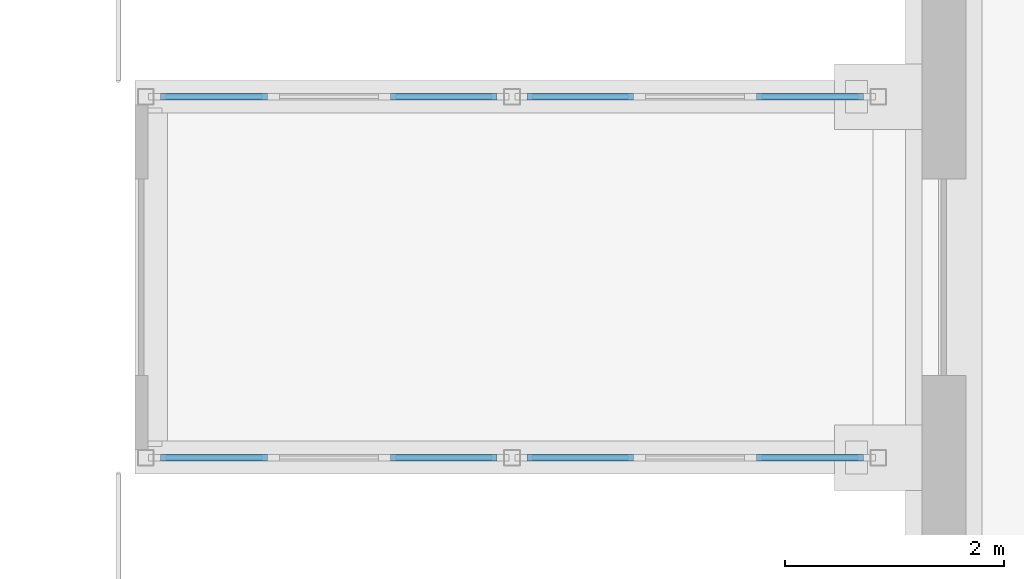
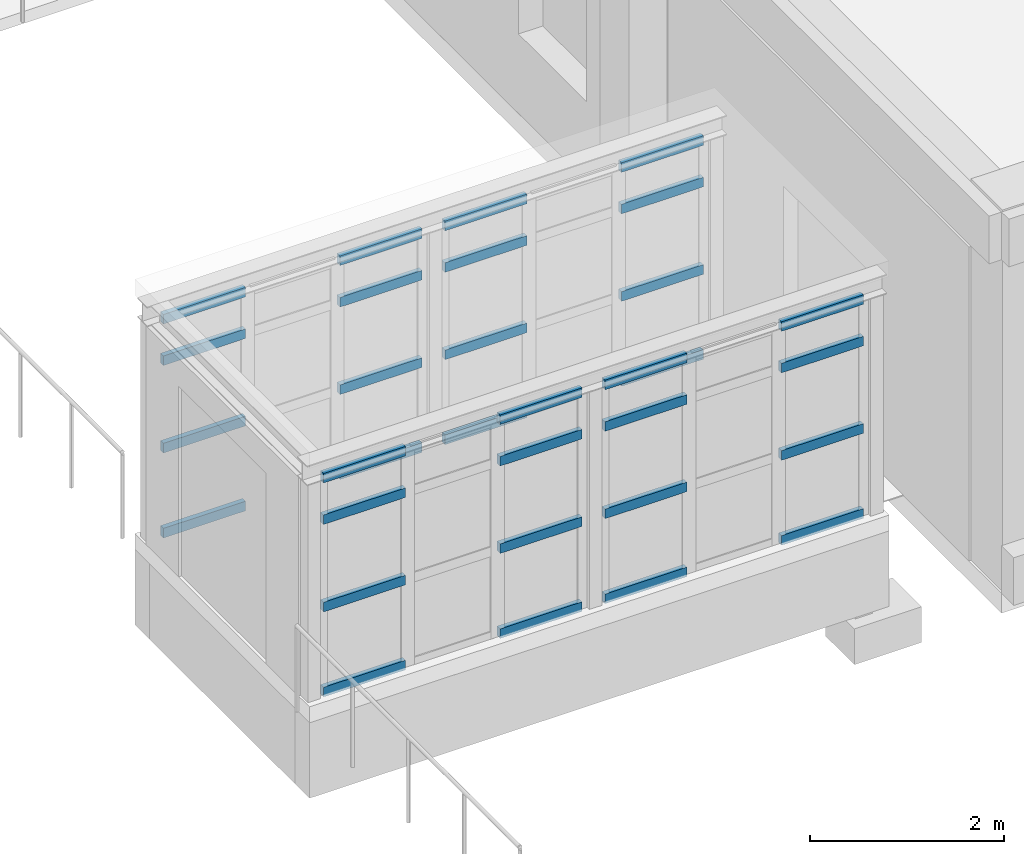
# One storey, part 62 of 131: 32 members, 4 elements without a shape of their own.
"""IFC4 building model written with IfcOpenShell, lengths in metres."""

from ifc_helpers import new_model, si_unit, direction, frame, origin, origin_2d, place, context, subcontext, project, spatial, rectangle, extrude, material, layer, layer_set, material_profile, profile_set, type_object, element, aggregate, save


model = new_model("IFC4")

# Units and contexts
model_context = context("Model", 3, precision=1e-05, world=origin(), true_north=direction((0.0, 1.0)))
body_context = subcontext(model_context, "Body", "Model", "MODEL_VIEW")
ifc_project = project(units=[si_unit("LENGTHUNIT", "METRE"), si_unit("AREAUNIT", "SQUARE_METRE"), si_unit("VOLUMEUNIT", "CUBIC_METRE"), si_unit("PLANEANGLEUNIT", "RADIAN"), si_unit("MASSUNIT", "GRAM", prefix="KILO")], contexts=[model_context])

# Site, building, storey
site_placement = place(None, origin())
site = spatial("IfcSite", under=ifc_project, at=site_placement, CompositionType="ELEMENT")
building_placement = place(site_placement, origin())
building = spatial("IfcBuilding", under=site, at=building_placement, Name="Alderwick Market Hall", CompositionType="ELEMENT")
storey_placement = place(building_placement, frame((0.0, 0.0, 4.800048828125)))
storey = spatial("IfcBuildingStorey", under=building, at=storey_placement, Name="L00", CompositionType="ELEMENT", Elevation=4.800048828125)

# Curtain wall, members
ifc_material = material(Name="Aluminium frame", Category="aluminium")
ifc_layer = layer(ifc_material, 0.10009765625)
ifc_layer_set = layer_set([ifc_layer], Name="Aluminium frame")
curtain_wall_type = type_object("IfcCurtainWallType", Name="P Curtain Wall 100", PredefinedType="NOTDEFINED", material=ifc_layer_set)
curtain_wall_1_placement = place(storey_placement, origin())
curtain_wall_1 = element("IfcCurtainWall", 1, at=curtain_wall_1_placement, inside=storey, type_object=curtain_wall_type, Name="P.P9.cw.a0", PredefinedType="NOTDEFINED")
ifc_material_profile = material_profile(ifc_material, rectangle(XDim=0.06005859375, YDim=0.1201171875, at=origin_2d()), Name="P Transom 60x120")
ifc_profile_set = profile_set([ifc_material_profile], Name="Aluminium frame")
member_type = type_object("IfcMemberType", Name="P Transom 60x120", PredefinedType="USERDEFINED", material=ifc_profile_set)
member_1_placement = place(storey_placement, frame((151.43603515625, 131.550048828125, 0.030029296875), z_axis=(1.0, 0.0, 0.0), x_axis=(0.0, 1.0, 0.0)))
member_1 = element("IfcMember", 2, at=member_1_placement, type_object=member_type, Name="P-CW9a0 transom 1.1", ObjectType="TRANSOM", PredefinedType="USERDEFINED", context=body_context, shape_type="SweptSolid", body=[
    extrude(rectangle(XDim=0.06005859375, YDim=0.1201171875, at=origin_2d()), origin(), (0.0, 0.0, 1.0), 0.97607421875),
])
member_2_placement = place(storey_placement, frame((151.43603515625, 131.550048828125, 1.099853515625), z_axis=(1.0, 0.0, 0.0), x_axis=(0.0, 1.0, 0.0)))
member_2 = element("IfcMember", 3, at=member_2_placement, type_object=member_type, Name="P-CW9a0 transom 1.2", ObjectType="TRANSOM", PredefinedType="USERDEFINED", context=body_context, shape_type="SweptSolid", body=[
    extrude(rectangle(XDim=0.06005859375, YDim=0.1201171875, at=origin_2d()), origin(), (0.0, 0.0, 1.0), 0.97607421875),
])
member_3_placement = place(storey_placement, frame((151.43603515625, 131.550048828125, 2.199951171875), z_axis=(1.0, 0.0, 0.0), x_axis=(0.0, 1.0, 0.0)))
member_3 = element("IfcMember", 4, at=member_3_placement, type_object=member_type, Name="P-CW9a0 transom 1.3", ObjectType="TRANSOM", PredefinedType="USERDEFINED", context=body_context, shape_type="SweptSolid", body=[
    extrude(rectangle(XDim=0.06005859375, YDim=0.1201171875, at=origin_2d()), origin(), (0.0, 0.0, 1.0), 0.97607421875),
])
member_4_placement = place(storey_placement, frame((151.43603515625, 131.550048828125, 2.722900390625), z_axis=(1.0, 0.0, 0.0), x_axis=(0.0, 1.0, 0.0)))
member_4 = element("IfcMember", 5, at=member_4_placement, type_object=member_type, Name="P-CW9a0 transom 1.4", ObjectType="TRANSOM", PredefinedType="USERDEFINED", context=body_context, shape_type="SweptSolid", body=[
    extrude(rectangle(XDim=0.06005859375, YDim=0.1201171875, at=origin_2d()), origin(), (0.0, 0.0, 1.0), 0.97607421875),
])
member_5_placement = place(storey_placement, frame((153.5380859375, 131.550048828125, 0.030029296875), z_axis=(1.0, 0.0, 0.0), x_axis=(0.0, 1.0, 0.0)))
member_5 = element("IfcMember", 6, at=member_5_placement, type_object=member_type, Name="P-CW9a0 transom 3.1", ObjectType="TRANSOM", PredefinedType="USERDEFINED", context=body_context, shape_type="SweptSolid", body=[
    extrude(rectangle(XDim=0.06005859375, YDim=0.1201171875, at=origin_2d()), origin(), (0.0, 0.0, 1.0), 0.975830078125),
])
member_6_placement = place(storey_placement, frame((153.5380859375, 131.550048828125, 1.099853515625), z_axis=(1.0, 0.0, 0.0), x_axis=(0.0, 1.0, 0.0)))
member_6 = element("IfcMember", 7, at=member_6_placement, type_object=member_type, Name="P-CW9a0 transom 3.2", ObjectType="TRANSOM", PredefinedType="USERDEFINED", context=body_context, shape_type="SweptSolid", body=[
    extrude(rectangle(XDim=0.06005859375, YDim=0.1201171875, at=origin_2d()), origin(), (0.0, 0.0, 1.0), 0.975830078125),
])
member_7_placement = place(storey_placement, frame((153.5380859375, 131.550048828125, 2.199951171875), z_axis=(1.0, 0.0, 0.0), x_axis=(0.0, 1.0, 0.0)))
member_7 = element("IfcMember", 8, at=member_7_placement, type_object=member_type, Name="P-CW9a0 transom 3.3", ObjectType="TRANSOM", PredefinedType="USERDEFINED", context=body_context, shape_type="SweptSolid", body=[
    extrude(rectangle(XDim=0.06005859375, YDim=0.1201171875, at=origin_2d()), origin(), (0.0, 0.0, 1.0), 0.975830078125),
])
member_8_placement = place(storey_placement, frame((153.5380859375, 131.550048828125, 2.722900390625), z_axis=(1.0, 0.0, 0.0), x_axis=(0.0, 1.0, 0.0)))
member_8 = element("IfcMember", 9, at=member_8_placement, type_object=member_type, Name="P-CW9a0 transom 3.4", ObjectType="TRANSOM", PredefinedType="USERDEFINED", context=body_context, shape_type="SweptSolid", body=[
    extrude(rectangle(XDim=0.06005859375, YDim=0.1201171875, at=origin_2d()), origin(), (0.0, 0.0, 1.0), 0.975830078125),
])
aggregate(curtain_wall_1, [member_1, member_2, member_3, member_4, member_5, member_6, member_7, member_8])

curtain_wall_2_placement = place(storey_placement, origin())
curtain_wall_2 = element("IfcCurtainWall", 10, at=curtain_wall_2_placement, inside=storey, type_object=curtain_wall_type, Name="P.P9.cw.a1", PredefinedType="NOTDEFINED")
member_9_placement = place(storey_placement, frame((154.785888671875, 131.550048828125, 0.030029296875), z_axis=(1.0, 0.0, 0.0), x_axis=(0.0, 1.0, 0.0)))
member_9 = element("IfcMember", 11, at=member_9_placement, type_object=member_type, Name="P-CW9a1 transom 1.1", ObjectType="TRANSOM", PredefinedType="USERDEFINED", context=body_context, shape_type="SweptSolid", body=[
    extrude(rectangle(XDim=0.06005859375, YDim=0.1201171875, at=origin_2d()), origin(), (0.0, 0.0, 1.0), 0.97607421875),
])
member_10_placement = place(storey_placement, frame((154.785888671875, 131.550048828125, 1.099853515625), z_axis=(1.0, 0.0, 0.0), x_axis=(0.0, 1.0, 0.0)))
member_10 = element("IfcMember", 12, at=member_10_placement, type_object=member_type, Name="P-CW9a1 transom 1.2", ObjectType="TRANSOM", PredefinedType="USERDEFINED", context=body_context, shape_type="SweptSolid", body=[
    extrude(rectangle(XDim=0.06005859375, YDim=0.1201171875, at=origin_2d()), origin(), (0.0, 0.0, 1.0), 0.97607421875),
])
member_11_placement = place(storey_placement, frame((154.785888671875, 131.550048828125, 2.199951171875), z_axis=(1.0, 0.0, 0.0), x_axis=(0.0, 1.0, 0.0)))
member_11 = element("IfcMember", 13, at=member_11_placement, type_object=member_type, Name="P-CW9a1 transom 1.3", ObjectType="TRANSOM", PredefinedType="USERDEFINED", context=body_context, shape_type="SweptSolid", body=[
    extrude(rectangle(XDim=0.06005859375, YDim=0.1201171875, at=origin_2d()), origin(), (0.0, 0.0, 1.0), 0.97607421875),
])
member_12_placement = place(storey_placement, frame((154.785888671875, 131.550048828125, 2.722900390625), z_axis=(1.0, 0.0, 0.0), x_axis=(0.0, 1.0, 0.0)))
member_12 = element("IfcMember", 14, at=member_12_placement, type_object=member_type, Name="P-CW9a1 transom 1.4", ObjectType="TRANSOM", PredefinedType="USERDEFINED", context=body_context, shape_type="SweptSolid", body=[
    extrude(rectangle(XDim=0.06005859375, YDim=0.1201171875, at=origin_2d()), origin(), (0.0, 0.0, 1.0), 0.97607421875),
])
member_13_placement = place(storey_placement, frame((156.887939453125, 131.550048828125, 0.030029296875), z_axis=(1.0, 0.0, 0.0), x_axis=(0.0, 1.0, 0.0)))
member_13 = element("IfcMember", 15, at=member_13_placement, type_object=member_type, Name="P-CW9a1 transom 3.1", ObjectType="TRANSOM", PredefinedType="USERDEFINED", context=body_context, shape_type="SweptSolid", body=[
    extrude(rectangle(XDim=0.06005859375, YDim=0.1201171875, at=origin_2d()), origin(), (0.0, 0.0, 1.0), 0.97607421875),
])
member_14_placement = place(storey_placement, frame((156.887939453125, 131.550048828125, 1.099853515625), z_axis=(1.0, 0.0, 0.0), x_axis=(0.0, 1.0, 0.0)))
member_14 = element("IfcMember", 16, at=member_14_placement, type_object=member_type, Name="P-CW9a1 transom 3.2", ObjectType="TRANSOM", PredefinedType="USERDEFINED", context=body_context, shape_type="SweptSolid", body=[
    extrude(rectangle(XDim=0.06005859375, YDim=0.1201171875, at=origin_2d()), origin(), (0.0, 0.0, 1.0), 0.97607421875),
])
member_15_placement = place(storey_placement, frame((156.887939453125, 131.550048828125, 2.199951171875), z_axis=(1.0, 0.0, 0.0), x_axis=(0.0, 1.0, 0.0)))
member_15 = element("IfcMember", 17, at=member_15_placement, type_object=member_type, Name="P-CW9a1 transom 3.3", ObjectType="TRANSOM", PredefinedType="USERDEFINED", context=body_context, shape_type="SweptSolid", body=[
    extrude(rectangle(XDim=0.06005859375, YDim=0.1201171875, at=origin_2d()), origin(), (0.0, 0.0, 1.0), 0.97607421875),
])
member_16_placement = place(storey_placement, frame((156.887939453125, 131.550048828125, 2.722900390625), z_axis=(1.0, 0.0, 0.0), x_axis=(0.0, 1.0, 0.0)))
member_16 = element("IfcMember", 18, at=member_16_placement, type_object=member_type, Name="P-CW9a1 transom 3.4", ObjectType="TRANSOM", PredefinedType="USERDEFINED", context=body_context, shape_type="SweptSolid", body=[
    extrude(rectangle(XDim=0.06005859375, YDim=0.1201171875, at=origin_2d()), origin(), (0.0, 0.0, 1.0), 0.97607421875),
])
aggregate(curtain_wall_2, [member_9, member_10, member_11, member_12, member_13, member_14, member_15, member_16])

curtain_wall_3_placement = place(storey_placement, origin())
curtain_wall_3 = element("IfcCurtainWall", 19, at=curtain_wall_3_placement, inside=storey, type_object=curtain_wall_type, Name="P.P9.cw.b0", PredefinedType="NOTDEFINED")
member_17_placement = place(storey_placement, frame((151.43603515625, 134.85009765625, 0.030029296875), z_axis=(1.0, 0.0, 0.0), x_axis=(0.0, 1.0, 0.0)))
member_17 = element("IfcMember", 20, at=member_17_placement, type_object=member_type, Name="P-CW9b0 transom 1.1", ObjectType="TRANSOM", PredefinedType="USERDEFINED", context=body_context, shape_type="SweptSolid", body=[
    extrude(rectangle(XDim=0.06005859375, YDim=0.1201171875, at=origin_2d()), origin(), (0.0, 0.0, 1.0), 0.97607421875),
])
member_18_placement = place(storey_placement, frame((151.43603515625, 134.85009765625, 1.099853515625), z_axis=(1.0, 0.0, 0.0), x_axis=(0.0, 1.0, 0.0)))
member_18 = element("IfcMember", 21, at=member_18_placement, type_object=member_type, Name="P-CW9b0 transom 1.2", ObjectType="TRANSOM", PredefinedType="USERDEFINED", context=body_context, shape_type="SweptSolid", body=[
    extrude(rectangle(XDim=0.06005859375, YDim=0.1201171875, at=origin_2d()), origin(), (0.0, 0.0, 1.0), 0.97607421875),
])
member_19_placement = place(storey_placement, frame((151.43603515625, 134.85009765625, 2.199951171875), z_axis=(1.0, 0.0, 0.0), x_axis=(0.0, 1.0, 0.0)))
member_19 = element("IfcMember", 22, at=member_19_placement, type_object=member_type, Name="P-CW9b0 transom 1.3", ObjectType="TRANSOM", PredefinedType="USERDEFINED", context=body_context, shape_type="SweptSolid", body=[
    extrude(rectangle(XDim=0.06005859375, YDim=0.1201171875, at=origin_2d()), origin(), (0.0, 0.0, 1.0), 0.97607421875),
])
member_20_placement = place(storey_placement, frame((151.43603515625, 134.85009765625, 2.722900390625), z_axis=(1.0, 0.0, 0.0), x_axis=(0.0, 1.0, 0.0)))
member_20 = element("IfcMember", 23, at=member_20_placement, type_object=member_type, Name="P-CW9b0 transom 1.4", ObjectType="TRANSOM", PredefinedType="USERDEFINED", context=body_context, shape_type="SweptSolid", body=[
    extrude(rectangle(XDim=0.06005859375, YDim=0.1201171875, at=origin_2d()), origin(), (0.0, 0.0, 1.0), 0.97607421875),
])
member_21_placement = place(storey_placement, frame((153.5380859375, 134.85009765625, 0.030029296875), z_axis=(1.0, 0.0, 0.0), x_axis=(0.0, 1.0, 0.0)))
member_21 = element("IfcMember", 24, at=member_21_placement, type_object=member_type, Name="P-CW9b0 transom 3.1", ObjectType="TRANSOM", PredefinedType="USERDEFINED", context=body_context, shape_type="SweptSolid", body=[
    extrude(rectangle(XDim=0.06005859375, YDim=0.1201171875, at=origin_2d()), origin(), (0.0, 0.0, 1.0), 0.975830078125),
])
member_22_placement = place(storey_placement, frame((153.5380859375, 134.85009765625, 1.099853515625), z_axis=(1.0, 0.0, 0.0), x_axis=(0.0, 1.0, 0.0)))
member_22 = element("IfcMember", 25, at=member_22_placement, type_object=member_type, Name="P-CW9b0 transom 3.2", ObjectType="TRANSOM", PredefinedType="USERDEFINED", context=body_context, shape_type="SweptSolid", body=[
    extrude(rectangle(XDim=0.06005859375, YDim=0.1201171875, at=origin_2d()), origin(), (0.0, 0.0, 1.0), 0.975830078125),
])
member_23_placement = place(storey_placement, frame((153.5380859375, 134.85009765625, 2.199951171875), z_axis=(1.0, 0.0, 0.0), x_axis=(0.0, 1.0, 0.0)))
member_23 = element("IfcMember", 26, at=member_23_placement, type_object=member_type, Name="P-CW9b0 transom 3.3", ObjectType="TRANSOM", PredefinedType="USERDEFINED", context=body_context, shape_type="SweptSolid", body=[
    extrude(rectangle(XDim=0.06005859375, YDim=0.1201171875, at=origin_2d()), origin(), (0.0, 0.0, 1.0), 0.975830078125),
])
member_24_placement = place(storey_placement, frame((153.5380859375, 134.85009765625, 2.722900390625), z_axis=(1.0, 0.0, 0.0), x_axis=(0.0, 1.0, 0.0)))
member_24 = element("IfcMember", 27, at=member_24_placement, type_object=member_type, Name="P-CW9b0 transom 3.4", ObjectType="TRANSOM", PredefinedType="USERDEFINED", context=body_context, shape_type="SweptSolid", body=[
    extrude(rectangle(XDim=0.06005859375, YDim=0.1201171875, at=origin_2d()), origin(), (0.0, 0.0, 1.0), 0.975830078125),
])
aggregate(curtain_wall_3, [member_17, member_18, member_19, member_20, member_21, member_22, member_23, member_24])

curtain_wall_4_placement = place(storey_placement, origin())
curtain_wall_4 = element("IfcCurtainWall", 28, at=curtain_wall_4_placement, inside=storey, type_object=curtain_wall_type, Name="P.P9.cw.b1", PredefinedType="NOTDEFINED")
member_25_placement = place(storey_placement, frame((154.785888671875, 134.85009765625, 0.030029296875), z_axis=(1.0, 0.0, 0.0), x_axis=(0.0, 1.0, 0.0)))
member_25 = element("IfcMember", 29, at=member_25_placement, type_object=member_type, Name="P-CW9b1 transom 1.1", ObjectType="TRANSOM", PredefinedType="USERDEFINED", context=body_context, shape_type="SweptSolid", body=[
    extrude(rectangle(XDim=0.06005859375, YDim=0.1201171875, at=origin_2d()), origin(), (0.0, 0.0, 1.0), 0.97607421875),
])
member_26_placement = place(storey_placement, frame((154.785888671875, 134.85009765625, 1.099853515625), z_axis=(1.0, 0.0, 0.0), x_axis=(0.0, 1.0, 0.0)))
member_26 = element("IfcMember", 30, at=member_26_placement, type_object=member_type, Name="P-CW9b1 transom 1.2", ObjectType="TRANSOM", PredefinedType="USERDEFINED", context=body_context, shape_type="SweptSolid", body=[
    extrude(rectangle(XDim=0.06005859375, YDim=0.1201171875, at=origin_2d()), origin(), (0.0, 0.0, 1.0), 0.97607421875),
])
member_27_placement = place(storey_placement, frame((154.785888671875, 134.85009765625, 2.199951171875), z_axis=(1.0, 0.0, 0.0), x_axis=(0.0, 1.0, 0.0)))
member_27 = element("IfcMember", 31, at=member_27_placement, type_object=member_type, Name="P-CW9b1 transom 1.3", ObjectType="TRANSOM", PredefinedType="USERDEFINED", context=body_context, shape_type="SweptSolid", body=[
    extrude(rectangle(XDim=0.06005859375, YDim=0.1201171875, at=origin_2d()), origin(), (0.0, 0.0, 1.0), 0.97607421875),
])
member_28_placement = place(storey_placement, frame((154.785888671875, 134.85009765625, 2.722900390625), z_axis=(1.0, 0.0, 0.0), x_axis=(0.0, 1.0, 0.0)))
member_28 = element("IfcMember", 32, at=member_28_placement, type_object=member_type, Name="P-CW9b1 transom 1.4", ObjectType="TRANSOM", PredefinedType="USERDEFINED", context=body_context, shape_type="SweptSolid", body=[
    extrude(rectangle(XDim=0.06005859375, YDim=0.1201171875, at=origin_2d()), origin(), (0.0, 0.0, 1.0), 0.97607421875),
])
member_29_placement = place(storey_placement, frame((156.887939453125, 134.85009765625, 0.030029296875), z_axis=(1.0, 0.0, 0.0), x_axis=(0.0, 1.0, 0.0)))
member_29 = element("IfcMember", 33, at=member_29_placement, type_object=member_type, Name="P-CW9b1 transom 3.1", ObjectType="TRANSOM", PredefinedType="USERDEFINED", context=body_context, shape_type="SweptSolid", body=[
    extrude(rectangle(XDim=0.06005859375, YDim=0.1201171875, at=origin_2d()), origin(), (0.0, 0.0, 1.0), 0.97607421875),
])
member_30_placement = place(storey_placement, frame((156.887939453125, 134.85009765625, 1.099853515625), z_axis=(1.0, 0.0, 0.0), x_axis=(0.0, 1.0, 0.0)))
member_30 = element("IfcMember", 34, at=member_30_placement, type_object=member_type, Name="P-CW9b1 transom 3.2", ObjectType="TRANSOM", PredefinedType="USERDEFINED", context=body_context, shape_type="SweptSolid", body=[
    extrude(rectangle(XDim=0.06005859375, YDim=0.1201171875, at=origin_2d()), origin(), (0.0, 0.0, 1.0), 0.97607421875),
])
member_31_placement = place(storey_placement, frame((156.887939453125, 134.85009765625, 2.199951171875), z_axis=(1.0, 0.0, 0.0), x_axis=(0.0, 1.0, 0.0)))
member_31 = element("IfcMember", 35, at=member_31_placement, type_object=member_type, Name="P-CW9b1 transom 3.3", ObjectType="TRANSOM", PredefinedType="USERDEFINED", context=body_context, shape_type="SweptSolid", body=[
    extrude(rectangle(XDim=0.06005859375, YDim=0.1201171875, at=origin_2d()), origin(), (0.0, 0.0, 1.0), 0.97607421875),
])
member_32_placement = place(storey_placement, frame((156.887939453125, 134.85009765625, 2.722900390625), z_axis=(1.0, 0.0, 0.0), x_axis=(0.0, 1.0, 0.0)))
member_32 = element("IfcMember", 36, at=member_32_placement, type_object=member_type, Name="P-CW9b1 transom 3.4", ObjectType="TRANSOM", PredefinedType="USERDEFINED", context=body_context, shape_type="SweptSolid", body=[
    extrude(rectangle(XDim=0.06005859375, YDim=0.1201171875, at=origin_2d()), origin(), (0.0, 0.0, 1.0), 0.97607421875),
])
aggregate(curtain_wall_4, [member_25, member_26, member_27, member_28, member_29, member_30, member_31, member_32])

save(model, "model.ifc")
